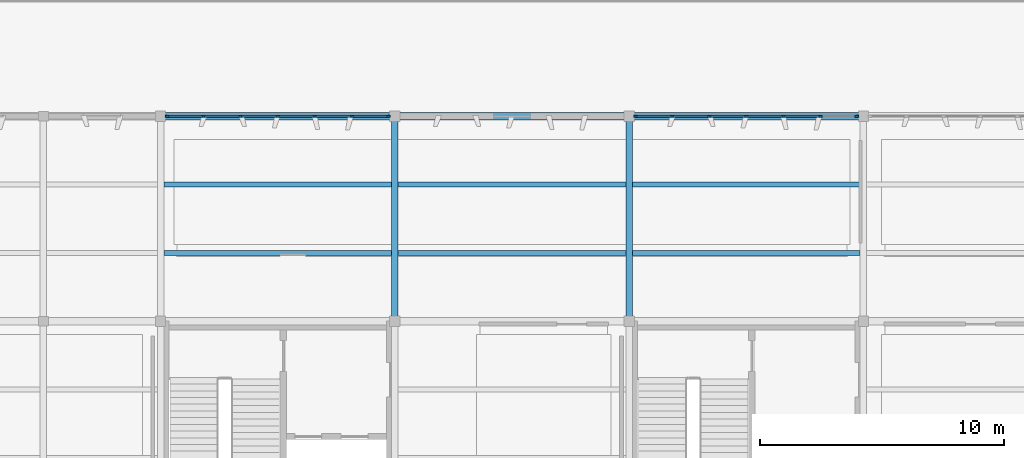
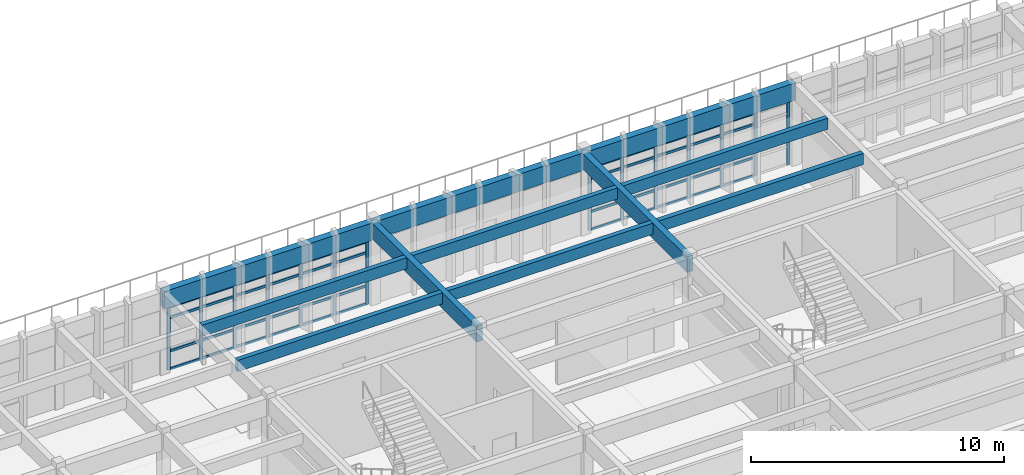
# One storey, part 17 of 61: 58 members, 11 beams, 2 elements without a shape of their own.
"""IFC4 building model written with IfcOpenShell, lengths in metres."""

from ifc_helpers import new_model, si_unit, direction, frame, origin, origin_2d, place, context, subcontext, project, spatial, rectangle, extrude, material, layer, layer_set, material_profile, profile_set, type_object, element, aggregate, save


model = new_model("IFC4")

# Units and contexts
model_context = context("Model", 3, precision=1e-05, world=origin(), true_north=direction((0.0, 1.0)))
body_context = subcontext(model_context, "Body", "Model", "MODEL_VIEW")
ifc_project = project(units=[si_unit("LENGTHUNIT", "METRE"), si_unit("AREAUNIT", "SQUARE_METRE"), si_unit("VOLUMEUNIT", "CUBIC_METRE"), si_unit("PLANEANGLEUNIT", "RADIAN"), si_unit("MASSUNIT", "GRAM", prefix="KILO")], contexts=[model_context])

# Site, building, storey
site_placement = place(None, origin())
site = spatial("IfcSite", under=ifc_project, at=site_placement, CompositionType="ELEMENT")
building_placement = place(site_placement, origin())
building = spatial("IfcBuilding", under=site, at=building_placement, Name="Kolvemor Railside Polytechnic", CompositionType="ELEMENT")
storey_placement = place(building_placement, frame((0.0, 0.0, 10.199951171875)))
storey = spatial("IfcBuildingStorey", under=building, at=storey_placement, Name="L02", CompositionType="ELEMENT", Elevation=10.199951171875)

# Beams
ifc_material_1 = material(Name="Glulam GL28h", Category="wood")
ifc_material_profile_1 = material_profile(ifc_material_1, rectangle(XDim=0.264892578125, YDim=0.760009765625, at=origin_2d()), Name="GL265x760")
ifc_profile_set_1 = profile_set([ifc_material_profile_1], Name="Glulam GL28h")
beam_type_1 = type_object("IfcBeamType", Name="BM-GL-GIRD1", PredefinedType="BEAM", material=ifc_profile_set_1)
for number, where, z_axis, x_axis, name in (
    (1, (76.800048828125, 30.0, 3.570068359375), (0.0, 1.0, 0.0), (-1.0, 0.0, 0.0), "Primary Girder L03-GY 1276"),
    (2, (86.39990234375, 30.0, 3.570068359375), (0.0, 1.0, 0.0), (-1.0, 0.0, 0.0), "Primary Girder L03-GY 1280"),
):
    element("IfcBeam", number, at=place(storey_placement, frame(where, z_axis=z_axis, x_axis=x_axis)), inside=storey, type_object=beam_type_1, Name=name, PredefinedType="BEAM", context=body_context, shape_type="SweptSolid", body=[
        extrude(rectangle(XDim=0.264892578125, YDim=0.760009765625, at=origin_2d()), origin(), (0.0, 0.0, 1.0), 8.39990234375),
    ])
ifc_material_2 = material(Name="Glulam GL28h", Category="wood")
ifc_material_profile_2 = material_profile(ifc_material_2, rectangle(XDim=0.31494140625, YDim=0.840087890625, at=origin_2d()), Name="GL315x840")
ifc_profile_set_2 = profile_set([ifc_material_profile_2], Name="Glulam GL28h")
beam_type_2 = type_object("IfcBeamType", Name="BM-GL-GIRD3", PredefinedType="BEAM", material=ifc_profile_set_2)
beam_1_placement = place(storey_placement, frame((67.199951171875, 38.39990234375, 3.530029296875), z_axis=(1.0, 0.0, 0.0), x_axis=(0.0, 1.0, 0.0)))
element("IfcBeam", 3, at=beam_1_placement, inside=storey, type_object=beam_type_2, Name="Primary Girder L03-GX 1254", PredefinedType="BEAM", context=body_context, shape_type="SweptSolid", body=[
    extrude(rectangle(XDim=0.31494140625, YDim=0.840087890625, at=origin_2d()), origin(), (0.0, 0.0, 1.0), 9.60009765625),
])
beam_2_placement = place(storey_placement, frame((76.800048828125, 38.39990234375, 3.530029296875), z_axis=(1.0, 0.0, 0.0), x_axis=(0.0, 1.0, 0.0)))
element("IfcBeam", 4, at=beam_2_placement, inside=storey, type_object=beam_type_2, Name="Primary Girder L03-GX 1255", PredefinedType="BEAM", context=body_context, shape_type="SweptSolid", body=[
    extrude(rectangle(XDim=0.31494140625, YDim=0.840087890625, at=origin_2d()), origin(), (0.0, 0.0, 1.0), 9.599853515625),
])
beam_3_placement = place(storey_placement, frame((86.39990234375, 38.39990234375, 3.530029296875), z_axis=(1.0, 0.0, 0.0), x_axis=(0.0, 1.0, 0.0)))
element("IfcBeam", 5, at=beam_3_placement, inside=storey, type_object=beam_type_2, Name="Primary Girder L03-GX 1256", PredefinedType="BEAM", context=body_context, shape_type="SweptSolid", body=[
    extrude(rectangle(XDim=0.31494140625, YDim=0.840087890625, at=origin_2d()), origin(), (0.0, 0.0, 1.0), 9.60009765625),
])
ifc_material_3 = material(Name="Glulam GL28h", Category="wood")
ifc_material_profile_3 = material_profile(ifc_material_3, rectangle(XDim=0.215087890625, YDim=0.5400390625, at=origin_2d()), Name="GL215x540")
ifc_profile_set_3 = profile_set([ifc_material_profile_3], Name="Glulam GL28h")
beam_type_3 = type_object("IfcBeamType", Name="BM-GL-JST1", PredefinedType="JOIST", material=ifc_profile_set_3)
for number, where, z_axis, x_axis, name in (
    (6, (67.3330078125, 32.800048828125, 3.679931640625), (1.0, 0.0, 0.0), (0.0, 1.0, 0.0), "Floor Joist L03-J1321"),
    (7, (67.3330078125, 35.60009765625, 3.679931640625), (1.0, 0.0, 0.0), (0.0, 1.0, 0.0), "Floor Joist L03-J1322"),
    (8, (76.93310546875, 32.800048828125, 3.679931640625), (1.0, 0.0, 0.0), (0.0, 1.0, 0.0), "Floor Joist L03-J1329"),
    (9, (76.93310546875, 35.60009765625, 3.679931640625), (1.0, 0.0, 0.0), (0.0, 1.0, 0.0), "Floor Joist L03-J1330"),
    (10, (86.532958984375, 32.800048828125, 3.679931640625), (1.0, 0.0, 0.0), (0.0, 1.0, 0.0), "Floor Joist L03-J1335"),
    (11, (86.532958984375, 35.60009765625, 3.679931640625), (1.0, 0.0, 0.0), (0.0, 1.0, 0.0), "Floor Joist L03-J1336"),
):
    element("IfcBeam", number, at=place(storey_placement, frame(where, z_axis=z_axis, x_axis=x_axis)), inside=storey, type_object=beam_type_3, Name=name, PredefinedType="JOIST", context=body_context, shape_type="SweptSolid", body=[
        extrude(rectangle(XDim=0.215087890625, YDim=0.5400390625, at=origin_2d()), origin(), (0.0, 0.0, 1.0), 9.333984375),
    ])

# Curtain wall, members
ifc_material_4 = material(Name="Anodised marine aluminium and laminated low-E glass", Category="aluminium")
ifc_layer = layer(ifc_material_4, 0.179931640625, Name="CW-UNIT-STD")
ifc_layer_set = layer_set([ifc_layer], Name="Anodised marine aluminium and laminated low-E glass")
curtain_wall_type = type_object("IfcCurtainWallType", Name="CW-UNIT-STD", PredefinedType="USERDEFINED", material=ifc_layer_set)
curtain_wall_1_placement = place(storey_placement, origin())
curtain_wall_1 = element("IfcCurtainWall", 12, at=curtain_wall_1_placement, inside=storey, type_object=curtain_wall_type, Name="Curtain Wall L02-121", ObjectType="UNITISED CURTAIN WALL", PredefinedType="USERDEFINED")
ifc_material_5 = material(Name="Anodised marine aluminium 6063-T6", Category="aluminium")
ifc_material_profile_4 = material_profile(ifc_material_5, rectangle(XDim=0.06494140625, YDim=0.14990234375, at=origin_2d()), Name="CW-MUL-65x150")
ifc_profile_set_4 = profile_set([ifc_material_profile_4], Name="Anodised marine aluminium 6063-T6")
member_type_1 = type_object("IfcMemberType", Name="CWM-65x150", PredefinedType="MULLION", material=ifc_profile_set_4)
member_1_placement = place(storey_placement, frame((76.527587890625, 38.39990234375, 0.0), z_axis=(0.0, 0.0, 1.0), x_axis=(0.0, -1.0, 0.0)))
member_1 = element("IfcMember", 13, at=member_1_placement, type_object=member_type_1, Name="CW-STD mullion 1", PredefinedType="MULLION", context=body_context, shape_type="SweptSolid", body=[
    extrude(rectangle(XDim=0.06494140625, YDim=0.14990234375, at=origin_2d()), origin(), (0.0, 0.0, 1.0), 3.050048828125),
])
member_2_placement = place(storey_placement, frame((75.0400390625, 38.39990234375, 0.0), z_axis=(0.0, 0.0, 1.0), x_axis=(0.0, -1.0, 0.0)))
member_2 = element("IfcMember", 14, at=member_2_placement, type_object=member_type_1, Name="CW-STD mullion 2", PredefinedType="MULLION", context=body_context, shape_type="SweptSolid", body=[
    extrude(rectangle(XDim=0.06494140625, YDim=0.14990234375, at=origin_2d()), origin(), (0.0, 0.0, 1.0), 3.050048828125),
])
member_3_placement = place(storey_placement, frame((73.52001953125, 38.39990234375, 0.0), z_axis=(0.0, 0.0, 1.0), x_axis=(0.0, -1.0, 0.0)))
member_3 = element("IfcMember", 15, at=member_3_placement, type_object=member_type_1, Name="CW-STD mullion 3", PredefinedType="MULLION", context=body_context, shape_type="SweptSolid", body=[
    extrude(rectangle(XDim=0.06494140625, YDim=0.14990234375, at=origin_2d()), origin(), (0.0, 0.0, 1.0), 3.050048828125),
])
member_4_placement = place(storey_placement, frame((72.0, 38.39990234375, 0.0), z_axis=(0.0, 0.0, 1.0), x_axis=(0.0, -1.0, 0.0)))
member_4 = element("IfcMember", 16, at=member_4_placement, type_object=member_type_1, Name="CW-STD mullion 4", PredefinedType="MULLION", context=body_context, shape_type="SweptSolid", body=[
    extrude(rectangle(XDim=0.06494140625, YDim=0.14990234375, at=origin_2d()), origin(), (0.0, 0.0, 1.0), 3.050048828125),
])
member_5_placement = place(storey_placement, frame((70.47998046875, 38.39990234375, 0.0), z_axis=(0.0, 0.0, 1.0), x_axis=(0.0, -1.0, 0.0)))
member_5 = element("IfcMember", 17, at=member_5_placement, type_object=member_type_1, Name="CW-STD mullion 5", PredefinedType="MULLION", context=body_context, shape_type="SweptSolid", body=[
    extrude(rectangle(XDim=0.06494140625, YDim=0.14990234375, at=origin_2d()), origin(), (0.0, 0.0, 1.0), 3.050048828125),
])
member_6_placement = place(storey_placement, frame((68.9599609375, 38.39990234375, 0.0), z_axis=(0.0, 0.0, 1.0), x_axis=(0.0, -1.0, 0.0)))
member_6 = element("IfcMember", 18, at=member_6_placement, type_object=member_type_1, Name="CW-STD mullion 6", PredefinedType="MULLION", context=body_context, shape_type="SweptSolid", body=[
    extrude(rectangle(XDim=0.06494140625, YDim=0.14990234375, at=origin_2d()), origin(), (0.0, 0.0, 1.0), 3.050048828125),
])
member_7_placement = place(storey_placement, frame((67.472412109375, 38.39990234375, 0.0), z_axis=(0.0, 0.0, 1.0), x_axis=(0.0, -1.0, 0.0)))
member_7 = element("IfcMember", 19, at=member_7_placement, type_object=member_type_1, Name="CW-STD mullion 7", PredefinedType="MULLION", context=body_context, shape_type="SweptSolid", body=[
    extrude(rectangle(XDim=0.06494140625, YDim=0.14990234375, at=origin_2d()), origin(), (0.0, 0.0, 1.0), 3.050048828125),
])

curtain_wall_2_placement = place(storey_placement, origin())
curtain_wall_2 = element("IfcCurtainWall", 20, at=curtain_wall_2_placement, inside=storey, type_object=curtain_wall_type, Name="Curtain Wall L02-122", ObjectType="UNITISED CURTAIN WALL", PredefinedType="USERDEFINED")
member_8_placement = place(storey_placement, frame((95.7275390625, 38.39990234375, 0.0), z_axis=(0.0, 0.0, 1.0), x_axis=(0.0, -1.0, 0.0)))
member_8 = element("IfcMember", 21, at=member_8_placement, type_object=member_type_1, Name="CW-STD mullion 1", PredefinedType="MULLION", context=body_context, shape_type="SweptSolid", body=[
    extrude(rectangle(XDim=0.06494140625, YDim=0.14990234375, at=origin_2d()), origin(), (0.0, 0.0, 1.0), 3.050048828125),
])
member_9_placement = place(storey_placement, frame((94.239990234375, 38.39990234375, 0.0), z_axis=(0.0, 0.0, 1.0), x_axis=(0.0, -1.0, 0.0)))
member_9 = element("IfcMember", 22, at=member_9_placement, type_object=member_type_1, Name="CW-STD mullion 2", PredefinedType="MULLION", context=body_context, shape_type="SweptSolid", body=[
    extrude(rectangle(XDim=0.06494140625, YDim=0.14990234375, at=origin_2d()), origin(), (0.0, 0.0, 1.0), 3.050048828125),
])
member_10_placement = place(storey_placement, frame((92.719970703125, 38.39990234375, 0.0), z_axis=(0.0, 0.0, 1.0), x_axis=(0.0, -1.0, 0.0)))
member_10 = element("IfcMember", 23, at=member_10_placement, type_object=member_type_1, Name="CW-STD mullion 3", PredefinedType="MULLION", context=body_context, shape_type="SweptSolid", body=[
    extrude(rectangle(XDim=0.06494140625, YDim=0.14990234375, at=origin_2d()), origin(), (0.0, 0.0, 1.0), 3.050048828125),
])
member_11_placement = place(storey_placement, frame((91.199951171875, 38.39990234375, 0.0), z_axis=(0.0, 0.0, 1.0), x_axis=(0.0, -1.0, 0.0)))
member_11 = element("IfcMember", 24, at=member_11_placement, type_object=member_type_1, Name="CW-STD mullion 4", PredefinedType="MULLION", context=body_context, shape_type="SweptSolid", body=[
    extrude(rectangle(XDim=0.06494140625, YDim=0.14990234375, at=origin_2d()), origin(), (0.0, 0.0, 1.0), 3.050048828125),
])
member_12_placement = place(storey_placement, frame((89.679931640625, 38.39990234375, 0.0), z_axis=(0.0, 0.0, 1.0), x_axis=(0.0, -1.0, 0.0)))
member_12 = element("IfcMember", 25, at=member_12_placement, type_object=member_type_1, Name="CW-STD mullion 5", PredefinedType="MULLION", context=body_context, shape_type="SweptSolid", body=[
    extrude(rectangle(XDim=0.06494140625, YDim=0.14990234375, at=origin_2d()), origin(), (0.0, 0.0, 1.0), 3.050048828125),
])
member_13_placement = place(storey_placement, frame((88.159912109375, 38.39990234375, 0.0), z_axis=(0.0, 0.0, 1.0), x_axis=(0.0, -1.0, 0.0)))
member_13 = element("IfcMember", 26, at=member_13_placement, type_object=member_type_1, Name="CW-STD mullion 6", PredefinedType="MULLION", context=body_context, shape_type="SweptSolid", body=[
    extrude(rectangle(XDim=0.06494140625, YDim=0.14990234375, at=origin_2d()), origin(), (0.0, 0.0, 1.0), 3.050048828125),
])
member_14_placement = place(storey_placement, frame((86.672607421875, 38.39990234375, 0.0), z_axis=(0.0, 0.0, 1.0), x_axis=(0.0, -1.0, 0.0)))
member_14 = element("IfcMember", 27, at=member_14_placement, type_object=member_type_1, Name="CW-STD mullion 7", PredefinedType="MULLION", context=body_context, shape_type="SweptSolid", body=[
    extrude(rectangle(XDim=0.06494140625, YDim=0.14990234375, at=origin_2d()), origin(), (0.0, 0.0, 1.0), 3.050048828125),
])

# Member
ifc_material_6 = material(Name="Anodised marine aluminium 6063-T6", Category="aluminium")
ifc_material_profile_5 = material_profile(ifc_material_6, rectangle(XDim=0.06494140625, YDim=0.1201171875, at=origin_2d()), Name="CW-TRN-65x120")
ifc_profile_set_5 = profile_set([ifc_material_profile_5], Name="Anodised marine aluminium 6063-T6")
member_type_2 = type_object("IfcMemberType", Name="CWT-65x120", PredefinedType="USERDEFINED", material=ifc_profile_set_5)
member_15_placement = place(storey_placement, frame((76.4951171875, 38.39990234375, 0.032470703125), z_axis=(-1.0, 0.0, 0.0), x_axis=(0.0, -1.0, 0.0)))
member_15 = element("IfcMember", 28, at=member_15_placement, type_object=member_type_2, Name="CW-STD transom 1.1", ObjectType="TRANSOM", PredefinedType="USERDEFINED", context=body_context, shape_type="SweptSolid", body=[
    extrude(rectangle(XDim=0.06494140625, YDim=0.1201171875, at=origin_2d()), origin(), (0.0, 0.0, 1.0), 1.422607421875),
])

member_16_placement = place(storey_placement, frame((76.4951171875, 38.39990234375, 0.900146484375), z_axis=(-1.0, 0.0, 0.0), x_axis=(0.0, -1.0, 0.0)))
member_16 = element("IfcMember", 29, at=member_16_placement, type_object=member_type_2, Name="CW-STD transom 1.2", ObjectType="TRANSOM", PredefinedType="USERDEFINED", context=body_context, shape_type="SweptSolid", body=[
    extrude(rectangle(XDim=0.06494140625, YDim=0.1201171875, at=origin_2d()), origin(), (0.0, 0.0, 1.0), 1.422607421875),
])

member_17_placement = place(storey_placement, frame((76.4951171875, 38.39990234375, 2.5), z_axis=(-1.0, 0.0, 0.0), x_axis=(0.0, -1.0, 0.0)))
member_17 = element("IfcMember", 30, at=member_17_placement, type_object=member_type_2, Name="CW-STD transom 1.3", ObjectType="TRANSOM", PredefinedType="USERDEFINED", context=body_context, shape_type="SweptSolid", body=[
    extrude(rectangle(XDim=0.06494140625, YDim=0.1201171875, at=origin_2d()), origin(), (0.0, 0.0, 1.0), 1.422607421875),
])

member_18_placement = place(storey_placement, frame((76.4951171875, 38.39990234375, 3.017578125), z_axis=(-1.0, 0.0, 0.0), x_axis=(0.0, -1.0, 0.0)))
member_18 = element("IfcMember", 31, at=member_18_placement, type_object=member_type_2, Name="CW-STD transom 1.4", ObjectType="TRANSOM", PredefinedType="USERDEFINED", context=body_context, shape_type="SweptSolid", body=[
    extrude(rectangle(XDim=0.06494140625, YDim=0.1201171875, at=origin_2d()), origin(), (0.0, 0.0, 1.0), 1.422607421875),
])

member_19_placement = place(storey_placement, frame((75.007568359375, 38.39990234375, 0.032470703125), z_axis=(-1.0, 0.0, 0.0), x_axis=(0.0, -1.0, 0.0)))
member_19 = element("IfcMember", 32, at=member_19_placement, type_object=member_type_2, Name="CW-STD transom 2.1", ObjectType="TRANSOM", PredefinedType="USERDEFINED", context=body_context, shape_type="SweptSolid", body=[
    extrude(rectangle(XDim=0.06494140625, YDim=0.1201171875, at=origin_2d()), origin(), (0.0, 0.0, 1.0), 1.455078125),
])

member_20_placement = place(storey_placement, frame((75.007568359375, 38.39990234375, 0.900146484375), z_axis=(-1.0, 0.0, 0.0), x_axis=(0.0, -1.0, 0.0)))
member_20 = element("IfcMember", 33, at=member_20_placement, type_object=member_type_2, Name="CW-STD transom 2.2", ObjectType="TRANSOM", PredefinedType="USERDEFINED", context=body_context, shape_type="SweptSolid", body=[
    extrude(rectangle(XDim=0.06494140625, YDim=0.1201171875, at=origin_2d()), origin(), (0.0, 0.0, 1.0), 1.455078125),
])

member_21_placement = place(storey_placement, frame((75.007568359375, 38.39990234375, 2.5), z_axis=(-1.0, 0.0, 0.0), x_axis=(0.0, -1.0, 0.0)))
member_21 = element("IfcMember", 34, at=member_21_placement, type_object=member_type_2, Name="CW-STD transom 2.3", ObjectType="TRANSOM", PredefinedType="USERDEFINED", context=body_context, shape_type="SweptSolid", body=[
    extrude(rectangle(XDim=0.06494140625, YDim=0.1201171875, at=origin_2d()), origin(), (0.0, 0.0, 1.0), 1.455078125),
])

member_22_placement = place(storey_placement, frame((75.007568359375, 38.39990234375, 3.017578125), z_axis=(-1.0, 0.0, 0.0), x_axis=(0.0, -1.0, 0.0)))
member_22 = element("IfcMember", 35, at=member_22_placement, type_object=member_type_2, Name="CW-STD transom 2.4", ObjectType="TRANSOM", PredefinedType="USERDEFINED", context=body_context, shape_type="SweptSolid", body=[
    extrude(rectangle(XDim=0.06494140625, YDim=0.1201171875, at=origin_2d()), origin(), (0.0, 0.0, 1.0), 1.455078125),
])

member_23_placement = place(storey_placement, frame((73.487548828125, 38.39990234375, 0.032470703125), z_axis=(-1.0, 0.0, 0.0), x_axis=(0.0, -1.0, 0.0)))
member_23 = element("IfcMember", 36, at=member_23_placement, type_object=member_type_2, Name="CW-STD transom 3.1", ObjectType="TRANSOM", PredefinedType="USERDEFINED", context=body_context, shape_type="SweptSolid", body=[
    extrude(rectangle(XDim=0.06494140625, YDim=0.1201171875, at=origin_2d()), origin(), (0.0, 0.0, 1.0), 1.455078125),
])

member_24_placement = place(storey_placement, frame((73.487548828125, 38.39990234375, 0.900146484375), z_axis=(-1.0, 0.0, 0.0), x_axis=(0.0, -1.0, 0.0)))
member_24 = element("IfcMember", 37, at=member_24_placement, type_object=member_type_2, Name="CW-STD transom 3.2", ObjectType="TRANSOM", PredefinedType="USERDEFINED", context=body_context, shape_type="SweptSolid", body=[
    extrude(rectangle(XDim=0.06494140625, YDim=0.1201171875, at=origin_2d()), origin(), (0.0, 0.0, 1.0), 1.455078125),
])

member_25_placement = place(storey_placement, frame((73.487548828125, 38.39990234375, 2.5), z_axis=(-1.0, 0.0, 0.0), x_axis=(0.0, -1.0, 0.0)))
member_25 = element("IfcMember", 38, at=member_25_placement, type_object=member_type_2, Name="CW-STD transom 3.3", ObjectType="TRANSOM", PredefinedType="USERDEFINED", context=body_context, shape_type="SweptSolid", body=[
    extrude(rectangle(XDim=0.06494140625, YDim=0.1201171875, at=origin_2d()), origin(), (0.0, 0.0, 1.0), 1.455078125),
])

member_26_placement = place(storey_placement, frame((73.487548828125, 38.39990234375, 3.017578125), z_axis=(-1.0, 0.0, 0.0), x_axis=(0.0, -1.0, 0.0)))
member_26 = element("IfcMember", 39, at=member_26_placement, type_object=member_type_2, Name="CW-STD transom 3.4", ObjectType="TRANSOM", PredefinedType="USERDEFINED", context=body_context, shape_type="SweptSolid", body=[
    extrude(rectangle(XDim=0.06494140625, YDim=0.1201171875, at=origin_2d()), origin(), (0.0, 0.0, 1.0), 1.455078125),
])

member_27_placement = place(storey_placement, frame((71.967529296875, 38.39990234375, 0.032470703125), z_axis=(-1.0, 0.0, 0.0), x_axis=(0.0, -1.0, 0.0)))
member_27 = element("IfcMember", 40, at=member_27_placement, type_object=member_type_2, Name="CW-STD transom 4.1", ObjectType="TRANSOM", PredefinedType="USERDEFINED", context=body_context, shape_type="SweptSolid", body=[
    extrude(rectangle(XDim=0.06494140625, YDim=0.1201171875, at=origin_2d()), origin(), (0.0, 0.0, 1.0), 1.455078125),
])

member_28_placement = place(storey_placement, frame((71.967529296875, 38.39990234375, 0.900146484375), z_axis=(-1.0, 0.0, 0.0), x_axis=(0.0, -1.0, 0.0)))
member_28 = element("IfcMember", 41, at=member_28_placement, type_object=member_type_2, Name="CW-STD transom 4.2", ObjectType="TRANSOM", PredefinedType="USERDEFINED", context=body_context, shape_type="SweptSolid", body=[
    extrude(rectangle(XDim=0.06494140625, YDim=0.1201171875, at=origin_2d()), origin(), (0.0, 0.0, 1.0), 1.455078125),
])

member_29_placement = place(storey_placement, frame((71.967529296875, 38.39990234375, 2.5), z_axis=(-1.0, 0.0, 0.0), x_axis=(0.0, -1.0, 0.0)))
member_29 = element("IfcMember", 42, at=member_29_placement, type_object=member_type_2, Name="CW-STD transom 4.3", ObjectType="TRANSOM", PredefinedType="USERDEFINED", context=body_context, shape_type="SweptSolid", body=[
    extrude(rectangle(XDim=0.06494140625, YDim=0.1201171875, at=origin_2d()), origin(), (0.0, 0.0, 1.0), 1.455078125),
])

member_30_placement = place(storey_placement, frame((71.967529296875, 38.39990234375, 3.017578125), z_axis=(-1.0, 0.0, 0.0), x_axis=(0.0, -1.0, 0.0)))
member_30 = element("IfcMember", 43, at=member_30_placement, type_object=member_type_2, Name="CW-STD transom 4.4", ObjectType="TRANSOM", PredefinedType="USERDEFINED", context=body_context, shape_type="SweptSolid", body=[
    extrude(rectangle(XDim=0.06494140625, YDim=0.1201171875, at=origin_2d()), origin(), (0.0, 0.0, 1.0), 1.455078125),
])

member_31_placement = place(storey_placement, frame((70.447509765625, 38.39990234375, 0.032470703125), z_axis=(-1.0, 0.0, 0.0), x_axis=(0.0, -1.0, 0.0)))
member_31 = element("IfcMember", 44, at=member_31_placement, type_object=member_type_2, Name="CW-STD transom 5.1", ObjectType="TRANSOM", PredefinedType="USERDEFINED", context=body_context, shape_type="SweptSolid", body=[
    extrude(rectangle(XDim=0.06494140625, YDim=0.1201171875, at=origin_2d()), origin(), (0.0, 0.0, 1.0), 1.455078125),
])

member_32_placement = place(storey_placement, frame((70.447509765625, 38.39990234375, 0.900146484375), z_axis=(-1.0, 0.0, 0.0), x_axis=(0.0, -1.0, 0.0)))
member_32 = element("IfcMember", 45, at=member_32_placement, type_object=member_type_2, Name="CW-STD transom 5.2", ObjectType="TRANSOM", PredefinedType="USERDEFINED", context=body_context, shape_type="SweptSolid", body=[
    extrude(rectangle(XDim=0.06494140625, YDim=0.1201171875, at=origin_2d()), origin(), (0.0, 0.0, 1.0), 1.455078125),
])

member_33_placement = place(storey_placement, frame((70.447509765625, 38.39990234375, 2.5), z_axis=(-1.0, 0.0, 0.0), x_axis=(0.0, -1.0, 0.0)))
member_33 = element("IfcMember", 46, at=member_33_placement, type_object=member_type_2, Name="CW-STD transom 5.3", ObjectType="TRANSOM", PredefinedType="USERDEFINED", context=body_context, shape_type="SweptSolid", body=[
    extrude(rectangle(XDim=0.06494140625, YDim=0.1201171875, at=origin_2d()), origin(), (0.0, 0.0, 1.0), 1.455078125),
])

member_34_placement = place(storey_placement, frame((70.447509765625, 38.39990234375, 3.017578125), z_axis=(-1.0, 0.0, 0.0), x_axis=(0.0, -1.0, 0.0)))
member_34 = element("IfcMember", 47, at=member_34_placement, type_object=member_type_2, Name="CW-STD transom 5.4", ObjectType="TRANSOM", PredefinedType="USERDEFINED", context=body_context, shape_type="SweptSolid", body=[
    extrude(rectangle(XDim=0.06494140625, YDim=0.1201171875, at=origin_2d()), origin(), (0.0, 0.0, 1.0), 1.455078125),
])

member_35_placement = place(storey_placement, frame((68.927490234375, 38.39990234375, 0.032470703125), z_axis=(-1.0, 0.0, 0.0), x_axis=(0.0, -1.0, 0.0)))
member_35 = element("IfcMember", 48, at=member_35_placement, type_object=member_type_2, Name="CW-STD transom 6.1", ObjectType="TRANSOM", PredefinedType="USERDEFINED", context=body_context, shape_type="SweptSolid", body=[
    extrude(rectangle(XDim=0.06494140625, YDim=0.1201171875, at=origin_2d()), origin(), (0.0, 0.0, 1.0), 1.422607421875),
])

member_36_placement = place(storey_placement, frame((68.927490234375, 38.39990234375, 0.900146484375), z_axis=(-1.0, 0.0, 0.0), x_axis=(0.0, -1.0, 0.0)))
member_36 = element("IfcMember", 49, at=member_36_placement, type_object=member_type_2, Name="CW-STD transom 6.2", ObjectType="TRANSOM", PredefinedType="USERDEFINED", context=body_context, shape_type="SweptSolid", body=[
    extrude(rectangle(XDim=0.06494140625, YDim=0.1201171875, at=origin_2d()), origin(), (0.0, 0.0, 1.0), 1.422607421875),
])

member_37_placement = place(storey_placement, frame((68.927490234375, 38.39990234375, 2.5), z_axis=(-1.0, 0.0, 0.0), x_axis=(0.0, -1.0, 0.0)))
member_37 = element("IfcMember", 50, at=member_37_placement, type_object=member_type_2, Name="CW-STD transom 6.3", ObjectType="TRANSOM", PredefinedType="USERDEFINED", context=body_context, shape_type="SweptSolid", body=[
    extrude(rectangle(XDim=0.06494140625, YDim=0.1201171875, at=origin_2d()), origin(), (0.0, 0.0, 1.0), 1.422607421875),
])

member_38_placement = place(storey_placement, frame((68.927490234375, 38.39990234375, 3.017578125), z_axis=(-1.0, 0.0, 0.0), x_axis=(0.0, -1.0, 0.0)))
member_38 = element("IfcMember", 51, at=member_38_placement, type_object=member_type_2, Name="CW-STD transom 6.4", ObjectType="TRANSOM", PredefinedType="USERDEFINED", context=body_context, shape_type="SweptSolid", body=[
    extrude(rectangle(XDim=0.06494140625, YDim=0.1201171875, at=origin_2d()), origin(), (0.0, 0.0, 1.0), 1.422607421875),
])

aggregate(curtain_wall_1, [member_1, member_2, member_3, member_4, member_5, member_6, member_7, member_15, member_16, member_17, member_18, member_19, member_20, member_21, member_22, member_23, member_24, member_25, member_26, member_27, member_28, member_29, member_30, member_31, member_32, member_33, member_34, member_35, member_36, member_37, member_38])

member_39_placement = place(storey_placement, frame((94.20751953125, 38.39990234375, 0.032470703125), z_axis=(-1.0, 0.0, 0.0), x_axis=(0.0, -1.0, 0.0)))
member_39 = element("IfcMember", 52, at=member_39_placement, type_object=member_type_2, Name="CW-STD transom 2.1", ObjectType="TRANSOM", PredefinedType="USERDEFINED", context=body_context, shape_type="SweptSolid", body=[
    extrude(rectangle(XDim=0.06494140625, YDim=0.1201171875, at=origin_2d()), origin(), (0.0, 0.0, 1.0), 1.455078125),
])

member_40_placement = place(storey_placement, frame((94.20751953125, 38.39990234375, 0.900146484375), z_axis=(-1.0, 0.0, 0.0), x_axis=(0.0, -1.0, 0.0)))
member_40 = element("IfcMember", 53, at=member_40_placement, type_object=member_type_2, Name="CW-STD transom 2.2", ObjectType="TRANSOM", PredefinedType="USERDEFINED", context=body_context, shape_type="SweptSolid", body=[
    extrude(rectangle(XDim=0.06494140625, YDim=0.1201171875, at=origin_2d()), origin(), (0.0, 0.0, 1.0), 1.455078125),
])

member_41_placement = place(storey_placement, frame((94.20751953125, 38.39990234375, 2.5), z_axis=(-1.0, 0.0, 0.0), x_axis=(0.0, -1.0, 0.0)))
member_41 = element("IfcMember", 54, at=member_41_placement, type_object=member_type_2, Name="CW-STD transom 2.3", ObjectType="TRANSOM", PredefinedType="USERDEFINED", context=body_context, shape_type="SweptSolid", body=[
    extrude(rectangle(XDim=0.06494140625, YDim=0.1201171875, at=origin_2d()), origin(), (0.0, 0.0, 1.0), 1.455078125),
])

member_42_placement = place(storey_placement, frame((94.20751953125, 38.39990234375, 3.017578125), z_axis=(-1.0, 0.0, 0.0), x_axis=(0.0, -1.0, 0.0)))
member_42 = element("IfcMember", 55, at=member_42_placement, type_object=member_type_2, Name="CW-STD transom 2.4", ObjectType="TRANSOM", PredefinedType="USERDEFINED", context=body_context, shape_type="SweptSolid", body=[
    extrude(rectangle(XDim=0.06494140625, YDim=0.1201171875, at=origin_2d()), origin(), (0.0, 0.0, 1.0), 1.455078125),
])

member_43_placement = place(storey_placement, frame((92.6875, 38.39990234375, 0.032470703125), z_axis=(-1.0, 0.0, 0.0), x_axis=(0.0, -1.0, 0.0)))
member_43 = element("IfcMember", 56, at=member_43_placement, type_object=member_type_2, Name="CW-STD transom 3.1", ObjectType="TRANSOM", PredefinedType="USERDEFINED", context=body_context, shape_type="SweptSolid", body=[
    extrude(rectangle(XDim=0.06494140625, YDim=0.1201171875, at=origin_2d()), origin(), (0.0, 0.0, 1.0), 1.455078125),
])

member_44_placement = place(storey_placement, frame((92.6875, 38.39990234375, 0.900146484375), z_axis=(-1.0, 0.0, 0.0), x_axis=(0.0, -1.0, 0.0)))
member_44 = element("IfcMember", 57, at=member_44_placement, type_object=member_type_2, Name="CW-STD transom 3.2", ObjectType="TRANSOM", PredefinedType="USERDEFINED", context=body_context, shape_type="SweptSolid", body=[
    extrude(rectangle(XDim=0.06494140625, YDim=0.1201171875, at=origin_2d()), origin(), (0.0, 0.0, 1.0), 1.455078125),
])

member_45_placement = place(storey_placement, frame((92.6875, 38.39990234375, 2.5), z_axis=(-1.0, 0.0, 0.0), x_axis=(0.0, -1.0, 0.0)))
member_45 = element("IfcMember", 58, at=member_45_placement, type_object=member_type_2, Name="CW-STD transom 3.3", ObjectType="TRANSOM", PredefinedType="USERDEFINED", context=body_context, shape_type="SweptSolid", body=[
    extrude(rectangle(XDim=0.06494140625, YDim=0.1201171875, at=origin_2d()), origin(), (0.0, 0.0, 1.0), 1.455078125),
])

member_46_placement = place(storey_placement, frame((92.6875, 38.39990234375, 3.017578125), z_axis=(-1.0, 0.0, 0.0), x_axis=(0.0, -1.0, 0.0)))
member_46 = element("IfcMember", 59, at=member_46_placement, type_object=member_type_2, Name="CW-STD transom 3.4", ObjectType="TRANSOM", PredefinedType="USERDEFINED", context=body_context, shape_type="SweptSolid", body=[
    extrude(rectangle(XDim=0.06494140625, YDim=0.1201171875, at=origin_2d()), origin(), (0.0, 0.0, 1.0), 1.455078125),
])

member_47_placement = place(storey_placement, frame((91.16748046875, 38.39990234375, 0.032470703125), z_axis=(-1.0, 0.0, 0.0), x_axis=(0.0, -1.0, 0.0)))
member_47 = element("IfcMember", 60, at=member_47_placement, type_object=member_type_2, Name="CW-STD transom 4.1", ObjectType="TRANSOM", PredefinedType="USERDEFINED", context=body_context, shape_type="SweptSolid", body=[
    extrude(rectangle(XDim=0.06494140625, YDim=0.1201171875, at=origin_2d()), origin(), (0.0, 0.0, 1.0), 1.455078125),
])

member_48_placement = place(storey_placement, frame((91.16748046875, 38.39990234375, 0.900146484375), z_axis=(-1.0, 0.0, 0.0), x_axis=(0.0, -1.0, 0.0)))
member_48 = element("IfcMember", 61, at=member_48_placement, type_object=member_type_2, Name="CW-STD transom 4.2", ObjectType="TRANSOM", PredefinedType="USERDEFINED", context=body_context, shape_type="SweptSolid", body=[
    extrude(rectangle(XDim=0.06494140625, YDim=0.1201171875, at=origin_2d()), origin(), (0.0, 0.0, 1.0), 1.455078125),
])

member_49_placement = place(storey_placement, frame((91.16748046875, 38.39990234375, 2.5), z_axis=(-1.0, 0.0, 0.0), x_axis=(0.0, -1.0, 0.0)))
member_49 = element("IfcMember", 62, at=member_49_placement, type_object=member_type_2, Name="CW-STD transom 4.3", ObjectType="TRANSOM", PredefinedType="USERDEFINED", context=body_context, shape_type="SweptSolid", body=[
    extrude(rectangle(XDim=0.06494140625, YDim=0.1201171875, at=origin_2d()), origin(), (0.0, 0.0, 1.0), 1.455078125),
])

member_50_placement = place(storey_placement, frame((91.16748046875, 38.39990234375, 3.017578125), z_axis=(-1.0, 0.0, 0.0), x_axis=(0.0, -1.0, 0.0)))
member_50 = element("IfcMember", 63, at=member_50_placement, type_object=member_type_2, Name="CW-STD transom 4.4", ObjectType="TRANSOM", PredefinedType="USERDEFINED", context=body_context, shape_type="SweptSolid", body=[
    extrude(rectangle(XDim=0.06494140625, YDim=0.1201171875, at=origin_2d()), origin(), (0.0, 0.0, 1.0), 1.455078125),
])

member_51_placement = place(storey_placement, frame((89.6474609375, 38.39990234375, 0.032470703125), z_axis=(-1.0, 0.0, 0.0), x_axis=(0.0, -1.0, 0.0)))
member_51 = element("IfcMember", 64, at=member_51_placement, type_object=member_type_2, Name="CW-STD transom 5.1", ObjectType="TRANSOM", PredefinedType="USERDEFINED", context=body_context, shape_type="SweptSolid", body=[
    extrude(rectangle(XDim=0.06494140625, YDim=0.1201171875, at=origin_2d()), origin(), (0.0, 0.0, 1.0), 1.455078125),
])

member_52_placement = place(storey_placement, frame((89.6474609375, 38.39990234375, 0.900146484375), z_axis=(-1.0, 0.0, 0.0), x_axis=(0.0, -1.0, 0.0)))
member_52 = element("IfcMember", 65, at=member_52_placement, type_object=member_type_2, Name="CW-STD transom 5.2", ObjectType="TRANSOM", PredefinedType="USERDEFINED", context=body_context, shape_type="SweptSolid", body=[
    extrude(rectangle(XDim=0.06494140625, YDim=0.1201171875, at=origin_2d()), origin(), (0.0, 0.0, 1.0), 1.455078125),
])

member_53_placement = place(storey_placement, frame((89.6474609375, 38.39990234375, 2.5), z_axis=(-1.0, 0.0, 0.0), x_axis=(0.0, -1.0, 0.0)))
member_53 = element("IfcMember", 66, at=member_53_placement, type_object=member_type_2, Name="CW-STD transom 5.3", ObjectType="TRANSOM", PredefinedType="USERDEFINED", context=body_context, shape_type="SweptSolid", body=[
    extrude(rectangle(XDim=0.06494140625, YDim=0.1201171875, at=origin_2d()), origin(), (0.0, 0.0, 1.0), 1.455078125),
])

member_54_placement = place(storey_placement, frame((89.6474609375, 38.39990234375, 3.017578125), z_axis=(-1.0, 0.0, 0.0), x_axis=(0.0, -1.0, 0.0)))
member_54 = element("IfcMember", 67, at=member_54_placement, type_object=member_type_2, Name="CW-STD transom 5.4", ObjectType="TRANSOM", PredefinedType="USERDEFINED", context=body_context, shape_type="SweptSolid", body=[
    extrude(rectangle(XDim=0.06494140625, YDim=0.1201171875, at=origin_2d()), origin(), (0.0, 0.0, 1.0), 1.455078125),
])

member_55_placement = place(storey_placement, frame((88.12744140625, 38.39990234375, 0.032470703125), z_axis=(-1.0, 0.0, 0.0), x_axis=(0.0, -1.0, 0.0)))
member_55 = element("IfcMember", 68, at=member_55_placement, type_object=member_type_2, Name="CW-STD transom 6.1", ObjectType="TRANSOM", PredefinedType="USERDEFINED", context=body_context, shape_type="SweptSolid", body=[
    extrude(rectangle(XDim=0.06494140625, YDim=0.1201171875, at=origin_2d()), origin(), (0.0, 0.0, 1.0), 1.42236328125),
])

member_56_placement = place(storey_placement, frame((88.12744140625, 38.39990234375, 0.900146484375), z_axis=(-1.0, 0.0, 0.0), x_axis=(0.0, -1.0, 0.0)))
member_56 = element("IfcMember", 69, at=member_56_placement, type_object=member_type_2, Name="CW-STD transom 6.2", ObjectType="TRANSOM", PredefinedType="USERDEFINED", context=body_context, shape_type="SweptSolid", body=[
    extrude(rectangle(XDim=0.06494140625, YDim=0.1201171875, at=origin_2d()), origin(), (0.0, 0.0, 1.0), 1.42236328125),
])

member_57_placement = place(storey_placement, frame((88.12744140625, 38.39990234375, 2.5), z_axis=(-1.0, 0.0, 0.0), x_axis=(0.0, -1.0, 0.0)))
member_57 = element("IfcMember", 70, at=member_57_placement, type_object=member_type_2, Name="CW-STD transom 6.3", ObjectType="TRANSOM", PredefinedType="USERDEFINED", context=body_context, shape_type="SweptSolid", body=[
    extrude(rectangle(XDim=0.06494140625, YDim=0.1201171875, at=origin_2d()), origin(), (0.0, 0.0, 1.0), 1.42236328125),
])

member_58_placement = place(storey_placement, frame((88.12744140625, 38.39990234375, 3.017578125), z_axis=(-1.0, 0.0, 0.0), x_axis=(0.0, -1.0, 0.0)))
member_58 = element("IfcMember", 71, at=member_58_placement, type_object=member_type_2, Name="CW-STD transom 6.4", ObjectType="TRANSOM", PredefinedType="USERDEFINED", context=body_context, shape_type="SweptSolid", body=[
    extrude(rectangle(XDim=0.06494140625, YDim=0.1201171875, at=origin_2d()), origin(), (0.0, 0.0, 1.0), 1.42236328125),
])

aggregate(curtain_wall_2, [member_8, member_9, member_10, member_11, member_12, member_13, member_14, member_39, member_40, member_41, member_42, member_43, member_44, member_45, member_46, member_47, member_48, member_49, member_50, member_51, member_52, member_53, member_54, member_55, member_56, member_57, member_58])

save(model, "model.ifc")
